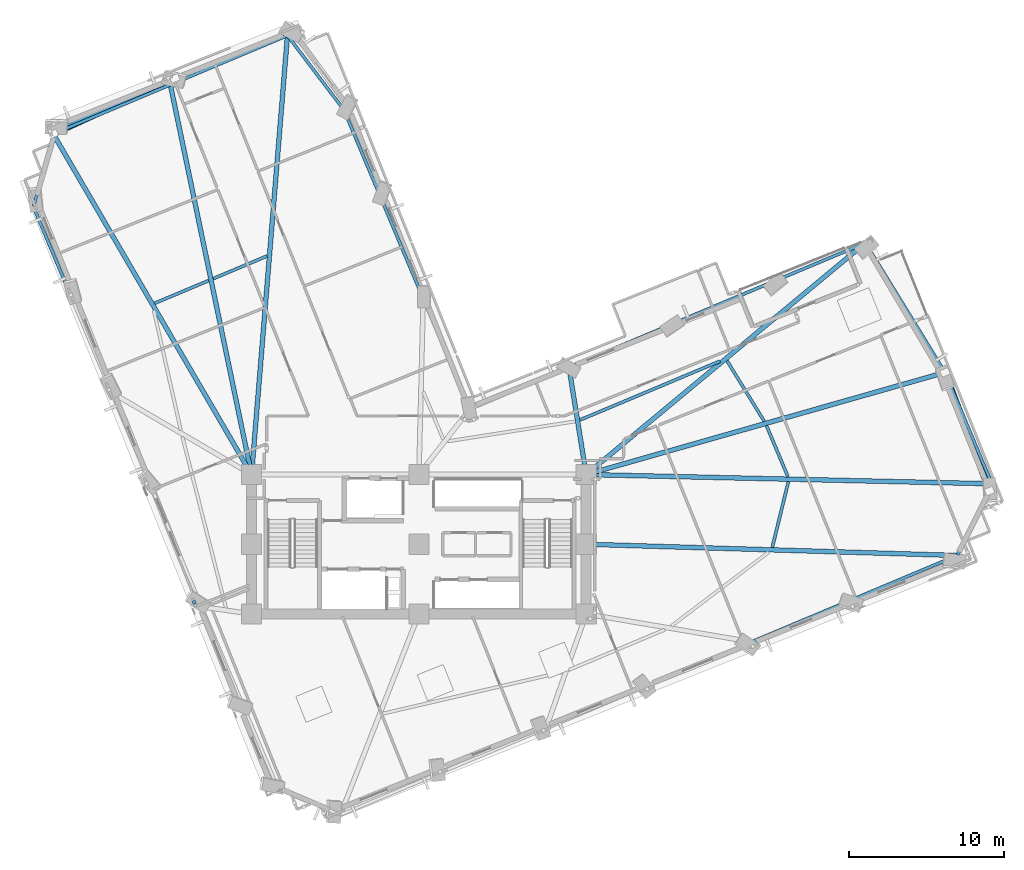
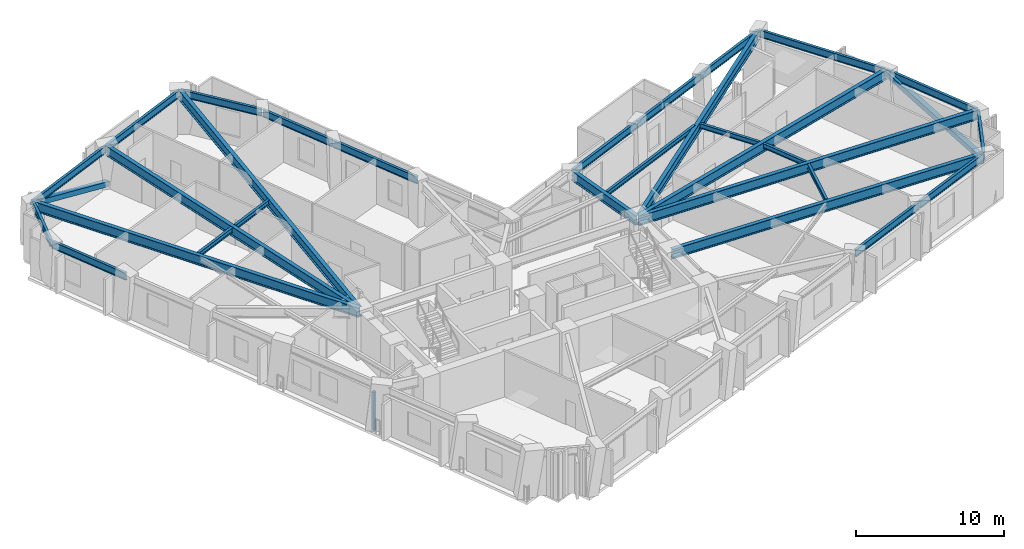
# One storey, part 2 of 16: 29 beams, 2 members, 1 plate.
"""IFC4 building model written with IfcOpenShell, lengths in metres."""

from ifc_helpers import new_model, si_unit, direction, frame, origin, origin_2d, place, context, subcontext, project, spatial, rectangle, hollow_rectangle, i_section, extrude, material, layer, layer_set, material_profile, profile_set, type_object, element, save


model = new_model("IFC4")

# Units and contexts
model_context = context("Model", 3, precision=1e-05, world=origin(), true_north=direction((0.0, 1.0)))
body_context = subcontext(model_context, "Body", "Model", "MODEL_VIEW")
ifc_project = project(units=[si_unit("LENGTHUNIT", "METRE"), si_unit("AREAUNIT", "SQUARE_METRE"), si_unit("VOLUMEUNIT", "CUBIC_METRE"), si_unit("PLANEANGLEUNIT", "RADIAN"), si_unit("MASSUNIT", "GRAM", prefix="KILO")], contexts=[model_context])

# Site, building, storey
site_placement = place(None, origin())
site = spatial("IfcSite", under=ifc_project, at=site_placement, CompositionType="ELEMENT")
building_placement = place(site_placement, origin())
building = spatial("IfcBuilding", under=site, at=building_placement, Name="Gaonmaruhae Medical Tower", CompositionType="ELEMENT")
storey_placement = place(building_placement, frame((0.0, 0.0, 116.39990234375)))
storey = spatial("IfcBuildingStorey", under=building, at=storey_placement, Name="L27", CompositionType="ELEMENT", Elevation=116.39990234375)

# Beams
ifc_material_1 = material(Name="Steel SM355", Category="steel")
ifc_material_profile_1 = material_profile(ifc_material_1, i_section(OverallWidth=0.199951171875, OverallDepth=0.39990234375, WebThickness=0.008056640625, FlangeThickness=0.012939453125, FilletRadius=0.012939453125, at=origin_2d()), Name="H-400x200x8x13")
ifc_profile_set_1 = profile_set([ifc_material_profile_1], Name="Steel SM355")
beam_type_1 = type_object("IfcBeamType", Name="FJ-01 Lower Zone Ward Floor Joist (H-400x200x8x13)", PredefinedType="JOIST", material=ifc_profile_set_1)
beam_1_placement = place(storey_placement, frame((47.614501953125, 12.091796875, 3.580078125), z_axis=(0.237533766268, 0.971379282197, 0.0), x_axis=(-0.971379282197, 0.237533766268, 0.0)))
element("IfcBeam", 1, at=beam_1_placement, inside=storey, type_object=beam_type_1, Name="L27 Secondary Floor Joist FJ04", PredefinedType="JOIST", context=body_context, shape_type="SweptSolid", body=[
    extrude(i_section(OverallWidth=0.199951171875, OverallDepth=0.39990234375, WebThickness=0.008056640625, FlangeThickness=0.012939453125, FilletRadius=0.012939453125, at=origin_2d()), origin(), (0.0, 0.0, 1.0), 4.37841796875),
])
beam_2_placement = place(storey_placement, frame((48.62646484375, 16.656982421875, 3.580078125), z_axis=(-0.387534527652, 0.921855189212, 0.0), x_axis=(-0.921855189212, -0.387534527652, 0.0)))
element("IfcBeam", 2, at=beam_2_placement, inside=storey, type_object=beam_type_1, Name="L27 Secondary Floor Joist FJ05", PredefinedType="JOIST", context=body_context, shape_type="SweptSolid", body=[
    extrude(i_section(OverallWidth=0.199951171875, OverallDepth=0.39990234375, WebThickness=0.008056640625, FlangeThickness=0.012939453125, FilletRadius=0.012939453125, at=origin_2d()), origin(), (0.0, 0.0, 1.0), 3.57275390625),
])
beam_3_placement = place(storey_placement, frame((47.096435546875, 20.233154296875, 3.580078125), z_axis=(-0.523839122684, 0.85181721839, 0.0), x_axis=(-0.85181721839, -0.523839122684, 0.0)))
element("IfcBeam", 3, at=beam_3_placement, inside=storey, type_object=beam_type_1, Name="L27 Secondary Floor Joist FJ06", PredefinedType="JOIST", context=body_context, shape_type="SweptSolid", body=[
    extrude(i_section(OverallWidth=0.199951171875, OverallDepth=0.39990234375, WebThickness=0.008056640625, FlangeThickness=0.012939453125, FilletRadius=0.012939453125, at=origin_2d()), origin(), (0.0, 0.0, 1.0), 4.58837890625),
])
beam_4_placement = place(storey_placement, frame((44.240966796875, 24.120361328125, 3.580078125), z_axis=(-0.921866070377, -0.387508642855, 0.0), x_axis=(0.387508642855, -0.921866070377, 0.0)))
element("IfcBeam", 4, at=beam_4_placement, inside=storey, type_object=beam_type_1, Name="L27 Secondary Floor Joist FJ07", PredefinedType="JOIST", context=body_context, shape_type="SweptSolid", body=[
    extrude(i_section(OverallWidth=0.199951171875, OverallDepth=0.39990234375, WebThickness=0.008056640625, FlangeThickness=0.012939453125, FilletRadius=0.012939453125, at=origin_2d()), origin(), (0.0, 0.0, 1.0), 9.81396484375),
])
beam_5_placement = place(storey_placement, frame((14.996826171875, 30.903076171875, 3.580078125), z_axis=(-0.921852442288, -0.387541061885, 0.0), x_axis=(0.387541061885, -0.921852442288, 0.0)))
element("IfcBeam", 5, at=beam_5_placement, inside=storey, type_object=beam_type_1, Name="L27 Secondary Floor Joist FJ11", PredefinedType="JOIST", context=body_context, shape_type="SweptSolid", body=[
    extrude(i_section(OverallWidth=0.199951171875, OverallDepth=0.39990234375, WebThickness=0.008056640625, FlangeThickness=0.012939453125, FilletRadius=0.012939453125, at=origin_2d()), origin(), (0.0, 0.0, 1.0), 3.765869140625),
])
beam_6_placement = place(storey_placement, frame((11.232421875, 29.320556640625, 3.580078125), z_axis=(-0.921865967129, -0.387508888478, 0.0), x_axis=(0.387508888478, -0.921865967129, 0.0)))
element("IfcBeam", 6, at=beam_6_placement, inside=storey, type_object=beam_type_1, Name="L27 Secondary Floor Joist FJ12", PredefinedType="JOIST", context=body_context, shape_type="SweptSolid", body=[
    extrude(i_section(OverallWidth=0.199951171875, OverallDepth=0.39990234375, WebThickness=0.008056640625, FlangeThickness=0.012939453125, FilletRadius=0.012939453125, at=origin_2d()), origin(), (0.0, 0.0, 1.0), 3.783935546875),
])

# Members
ifc_material_2 = material(Name="Steel SM420", Category="steel")
ifc_material_profile_2 = material_profile(ifc_material_2, hollow_rectangle(XDim=0.39990234375, YDim=0.39990234375, WallThickness=0.01611328125, at=origin_2d()), Name="RHS-400x400x16")
ifc_profile_set_2 = profile_set([ifc_material_profile_2], Name="Steel SM420")
member_type = type_object("IfcMemberType", Name="PB-01 Perimeter Solid-Bay Tube Brace Lower (RHS-400x400x16)", PredefinedType="BRACE", material=ifc_profile_set_2)
member_1_placement = place(storey_placement, frame((61.638427734375, 15.73388671875, 0.25), z_axis=(-0.326386541425, 0.868868068261, 0.372209760126), x_axis=(-0.936130305604, -0.351653310705, 0.0)))
element("IfcMember", 7, at=member_1_placement, inside=storey, type_object=member_type, Name="L27 Perimeter Tube Solid-Bay Brace E01-E02", PredefinedType="BRACE", context=body_context, shape_type="SweptSolid", body=[
    extrude(hollow_rectangle(XDim=0.39990234375, YDim=0.39990234375, WallThickness=0.01611328125, at=origin_2d()), origin(), (0.0, 0.0, 1.0), 8.812255859375),
])
member_2_placement = place(storey_placement, frame((9.04541015625, 42.373779296875, 0.25), z_axis=(-0.850123628358, -0.388615097737, 0.355342260811), x_axis=(0.415748392289, -0.90947967229, 0.0)))
element("IfcMember", 8, at=member_2_placement, inside=storey, type_object=member_type, Name="L27 Perimeter Tube Solid-Bay Brace N02-N03", PredefinedType="BRACE", context=body_context, shape_type="SweptSolid", body=[
    extrude(hollow_rectangle(XDim=0.39990234375, YDim=0.39990234375, WallThickness=0.01611328125, at=origin_2d()), origin(), (0.0, 0.0, 1.0), 9.230712890625),
])

# Beams
ifc_material_profile_3 = material_profile(ifc_material_2, i_section(OverallWidth=0.300048828125, OverallDepth=0.800048828125, WebThickness=0.013916015625, FlangeThickness=0.02587890625, FilletRadius=0.01806640625, at=origin_2d()), Name="H-800x300x14x26")
ifc_profile_set_3 = profile_set([ifc_material_profile_3], Name="Steel SM420")
beam_type_2 = type_object("IfcBeamType", Name="PG-02 Zone 2 Radial Floor Girder (H-800x300x14x26)", PredefinedType="BEAM", material=ifc_profile_set_3)
beam_7_placement = place(storey_placement, frame((35.64990234375, 12.298583984375, 3.380126953125), z_axis=(0.999540775472, -0.03030244493, 0.0), x_axis=(0.03030244493, 0.999540775472, 0.0)))
element("IfcBeam", 9, at=beam_7_placement, inside=storey, type_object=beam_type_2, Name="L27 Radial Primary Girder S07", PredefinedType="BEAM", context=body_context, shape_type="SweptSolid", body=[
    extrude(i_section(OverallWidth=0.300048828125, OverallDepth=0.800048828125, WebThickness=0.013916015625, FlangeThickness=0.02587890625, FilletRadius=0.01806640625, at=origin_2d()), origin(), (0.0, 0.0, 1.0), 23.8642578125),
])
beam_8_placement = place(storey_placement, frame((35.64990234375, 16.798828125, 3.380126953125), z_axis=(0.999737625511, -0.022905897451, 0.0), x_axis=(0.022905897451, 0.999737625511, 0.0)))
element("IfcBeam", 10, at=beam_8_placement, inside=storey, type_object=beam_type_2, Name="L27 Radial Primary Girder E01", PredefinedType="BEAM", context=body_context, shape_type="SweptSolid", body=[
    extrude(i_section(OverallWidth=0.300048828125, OverallDepth=0.800048828125, WebThickness=0.013916015625, FlangeThickness=0.02587890625, FilletRadius=0.01806640625, at=origin_2d()), origin(), (0.0, 0.0, 1.0), 26.091796875),
])
beam_9_placement = place(storey_placement, frame((35.648193359375, 16.813720703125, 3.380126953125), z_axis=(0.961821110821, 0.273678919137, 0.0), x_axis=(-0.273678919137, 0.961821110821, 0.0)))
element("IfcBeam", 11, at=beam_9_placement, inside=storey, type_object=beam_type_2, Name="L27 Radial Primary Girder E02", PredefinedType="BEAM", context=body_context, shape_type="SweptSolid", body=[
    extrude(i_section(OverallWidth=0.300048828125, OverallDepth=0.800048828125, WebThickness=0.013916015625, FlangeThickness=0.02587890625, FilletRadius=0.01806640625, at=origin_2d()), origin(), (0.0, 0.0, 1.0), 23.9814453125),
])
beam_10_placement = place(storey_placement, frame((35.638427734375, 16.83203125, 3.360107421875), z_axis=(0.76960220183, 0.638523649474, 0.0), x_axis=(-0.638523649474, 0.76960220183, 0.0)))
element("IfcBeam", 12, at=beam_10_placement, inside=storey, type_object=beam_type_2, Name="L27 Radial Primary Girder E03", PredefinedType="BEAM", context=body_context, shape_type="SweptSolid", body=[
    extrude(i_section(OverallWidth=0.300048828125, OverallDepth=0.800048828125, WebThickness=0.013916015625, FlangeThickness=0.02587890625, FilletRadius=0.01806640625, at=origin_2d()), origin(), (0.0, 0.0, 1.0), 23.3154296875),
])
beam_11_placement = place(storey_placement, frame((35.592041015625, 16.849365234375, 3.380126953125), z_axis=(-0.158330026643, 0.987386247961, 0.0), x_axis=(-0.987386247961, -0.158330026643, 0.0)))
element("IfcBeam", 13, at=beam_11_placement, inside=storey, type_object=beam_type_2, Name="L27 Radial Primary Girder EN03", PredefinedType="BEAM", context=body_context, shape_type="SweptSolid", body=[
    extrude(i_section(OverallWidth=0.300048828125, OverallDepth=0.800048828125, WebThickness=0.013916015625, FlangeThickness=0.02587890625, FilletRadius=0.01806640625, at=origin_2d()), origin(), (0.0, 0.0, 1.0), 6.898681640625),
])
beam_12_placement = place(storey_placement, frame((14.004150390625, 16.849853515625, 3.380126953125), z_axis=(0.081471002221, 0.996675712455, 0.0), x_axis=(-0.996675712455, 0.081471002221, 0.0)))
element("IfcBeam", 14, at=beam_12_placement, inside=storey, type_object=beam_type_2, Name="L27 Radial Primary Girder N01", PredefinedType="BEAM", context=body_context, shape_type="SweptSolid", body=[
    extrude(i_section(OverallWidth=0.300048828125, OverallDepth=0.800048828125, WebThickness=0.013916015625, FlangeThickness=0.02587890625, FilletRadius=0.01806640625, at=origin_2d()), origin(), (0.0, 0.0, 1.0), 28.33642578125),
])
beam_13_placement = place(storey_placement, frame((13.98974609375, 16.848876953125, 3.380126953125), z_axis=(-0.203954254112, 0.978980419738, 0.0), x_axis=(-0.978980419738, -0.203954254112, 0.0)))
element("IfcBeam", 15, at=beam_13_placement, inside=storey, type_object=beam_type_2, Name="L27 Radial Primary Girder N02", PredefinedType="BEAM", context=body_context, shape_type="SweptSolid", body=[
    extrude(i_section(OverallWidth=0.300048828125, OverallDepth=0.800048828125, WebThickness=0.013916015625, FlangeThickness=0.02587890625, FilletRadius=0.01806640625, at=origin_2d()), origin(), (0.0, 0.0, 1.0), 25.6044921875),
])
beam_14_placement = place(storey_placement, frame((13.974853515625, 16.84326171875, 3.380126953125), z_axis=(-0.503175428802, 0.864184290444, 0.0), x_axis=(-0.864184290444, -0.503175428802, 0.0)))
element("IfcBeam", 16, at=beam_14_placement, inside=storey, type_object=beam_type_2, Name="L27 Radial Primary Girder N03", PredefinedType="BEAM", context=body_context, shape_type="SweptSolid", body=[
    extrude(i_section(OverallWidth=0.300048828125, OverallDepth=0.800048828125, WebThickness=0.013916015625, FlangeThickness=0.02587890625, FilletRadius=0.01806640625, at=origin_2d()), origin(), (0.0, 0.0, 1.0), 25.342041015625),
])
ifc_material_profile_4 = material_profile(ifc_material_1, i_section(OverallWidth=0.199951171875, OverallDepth=0.60009765625, WebThickness=0.010986328125, FlangeThickness=0.01708984375, FilletRadius=0.012939453125, at=origin_2d()), Name="H-600x200x11x17")
ifc_profile_set_4 = profile_set([ifc_material_profile_4], Name="Steel SM355")
beam_type_3 = type_object("IfcBeamType", Name="SP-01 Lower Perimeter Spandrel Beam (H-600x200x11x17)", PredefinedType="SPANDREL", material=ifc_profile_set_4)
for number, where, z_axis, x_axis, name in (
    (17, (46.315185546875, 6.009033203125, 3.47998046875), (0.921855965601, 0.387532680797, 0.0), (-0.387532680797, 0.921855965601, 0.0), "L27 Perimeter Spandrel Beam S05-S06"),
    (18, (52.95263671875, 8.79931640625, 3.47998046875), (0.921868214975, 0.387503540912, 0.0), (-0.387503540912, 0.921868214975, 0.0), "L27 Perimeter Spandrel Beam S06-S07"),
):
    element("IfcBeam", number, at=place(storey_placement, frame(where, z_axis=z_axis, x_axis=x_axis)), inside=storey, type_object=beam_type_3, Name=name, PredefinedType="SPANDREL", context=body_context, shape_type="SweptSolid", body=[
        extrude(i_section(OverallWidth=0.199951171875, OverallDepth=0.60009765625, WebThickness=0.010986328125, FlangeThickness=0.01708984375, FilletRadius=0.012939453125, at=origin_2d()), origin(), (0.0, 0.0, 1.0), 7.1201171875),
    ])
beam_15_placement = place(storey_placement, frame((59.570556640625, 11.60986328125, 3.47998046875), z_axis=(0.43449925295, 0.900672192968, 0.0), x_axis=(-0.900672192968, 0.43449925295, 0.0)))
element("IfcBeam", 19, at=beam_15_placement, inside=storey, type_object=beam_type_3, Name="L27 Perimeter Spandrel Beam S07-E01", PredefinedType="SPANDREL", context=body_context, shape_type="SweptSolid", body=[
    extrude(i_section(OverallWidth=0.199951171875, OverallDepth=0.60009765625, WebThickness=0.010986328125, FlangeThickness=0.01708984375, FilletRadius=0.012939453125, at=origin_2d()), origin(), (0.0, 0.0, 1.0), 5.056396484375),
])
beam_16_placement = place(storey_placement, frame((61.769287109375, 16.237060546875, 3.47998046875), z_axis=(-0.387501296643, 0.921869158341, 0.0), x_axis=(-0.921869158341, -0.387501296643, 0.0)))
element("IfcBeam", 20, at=beam_16_placement, inside=storey, type_object=beam_type_3, Name="L27 Perimeter Spandrel Beam E01-E02", PredefinedType="SPANDREL", context=body_context, shape_type="SweptSolid", body=[
    extrude(i_section(OverallWidth=0.199951171875, OverallDepth=0.60009765625, WebThickness=0.010986328125, FlangeThickness=0.01708984375, FilletRadius=0.012939453125, at=origin_2d()), origin(), (0.0, 0.0, 1.0), 7.719970703125),
])
beam_17_placement = place(storey_placement, frame((58.7412109375, 23.4248046875, 3.47998046875), z_axis=(-0.523839943352, 0.851816713706, 0.0), x_axis=(-0.851816713706, -0.523839943352, 0.0)))
element("IfcBeam", 21, at=beam_17_placement, inside=storey, type_object=beam_type_3, Name="L27 Perimeter Spandrel Beam E02-E03", PredefinedType="SPANDREL", context=body_context, shape_type="SweptSolid", body=[
    extrude(i_section(OverallWidth=0.199951171875, OverallDepth=0.60009765625, WebThickness=0.010986328125, FlangeThickness=0.01708984375, FilletRadius=0.012939453125, at=origin_2d()), origin(), (0.0, 0.0, 1.0), 9.735107421875),
])
beam_18_placement = place(storey_placement, frame((53.583740234375, 31.73583984375, 3.460205078125), z_axis=(-0.921863897365, -0.387513812316, 0.0), x_axis=(0.387513812316, -0.921863897365, 0.0)))
element("IfcBeam", 22, at=beam_18_placement, inside=storey, type_object=beam_type_3, Name="L27 Perimeter Spandrel Beam E03-EN01", PredefinedType="SPANDREL", context=body_context, shape_type="SweptSolid", body=[
    extrude(i_section(OverallWidth=0.199951171875, OverallDepth=0.60009765625, WebThickness=0.010986328125, FlangeThickness=0.01708984375, FilletRadius=0.012939453125, at=origin_2d()), origin(), (0.0, 0.0, 1.0), 6.27001953125),
])
beam_19_placement = place(storey_placement, frame((47.729736328125, 29.275146484375, 3.460205078125), z_axis=(-0.921863065881, -0.387515790341, 0.0), x_axis=(0.387515790341, -0.921863065881, 0.0)))
element("IfcBeam", 23, at=beam_19_placement, inside=storey, type_object=beam_type_3, Name="L27 Perimeter Spandrel Beam EN01-EN02", PredefinedType="SPANDREL", context=body_context, shape_type="SweptSolid", body=[
    extrude(i_section(OverallWidth=0.199951171875, OverallDepth=0.60009765625, WebThickness=0.010986328125, FlangeThickness=0.01708984375, FilletRadius=0.012939453125, at=origin_2d()), origin(), (0.0, 0.0, 1.0), 7.119873046875),
])
for number, where, z_axis, x_axis, name in (
    (24, (41.092529296875, 26.485107421875, 3.47998046875), (-0.921868214975, -0.387503540912, 0.0), (0.387503540912, -0.921868214975, 0.0), "L27 Perimeter Spandrel Beam EN02-EN03"),
    (25, (25.066162109375, 28.198486328125, 3.47998046875), (-0.387503540912, 0.921868214975, 0.0), (-0.921868214975, -0.387503540912, 0.0), "L27 Perimeter Spandrel Beam NE01-NE02"),
):
    element("IfcBeam", number, at=place(storey_placement, frame(where, z_axis=z_axis, x_axis=x_axis)), inside=storey, type_object=beam_type_3, Name=name, PredefinedType="SPANDREL", context=body_context, shape_type="SweptSolid", body=[
        extrude(i_section(OverallWidth=0.199951171875, OverallDepth=0.60009765625, WebThickness=0.010986328125, FlangeThickness=0.01708984375, FilletRadius=0.012939453125, at=origin_2d()), origin(), (0.0, 0.0, 1.0), 7.1201171875),
    ])
beam_20_placement = place(storey_placement, frame((22.276123046875, 34.8359375, 3.47998046875), z_axis=(-0.387524125622, 0.921859562005, 0.0), x_axis=(-0.921859562005, -0.387524125622, 0.0)))
element("IfcBeam", 26, at=beam_20_placement, inside=storey, type_object=beam_type_3, Name="L27 Perimeter Spandrel Beam NE02-NE03", PredefinedType="SPANDREL", context=body_context, shape_type="SweptSolid", body=[
    extrude(i_section(OverallWidth=0.199951171875, OverallDepth=0.60009765625, WebThickness=0.010986328125, FlangeThickness=0.01708984375, FilletRadius=0.012939453125, at=origin_2d()), origin(), (0.0, 0.0, 1.0), 5.920166015625),
])
beam_21_placement = place(storey_placement, frame((19.9423828125, 40.362060546875, 3.47998046875), z_axis=(-0.604343442078, 0.796723919572, 0.0), x_axis=(-0.796723919572, -0.604343442078, 0.0)))
element("IfcBeam", 27, at=beam_21_placement, inside=storey, type_object=beam_type_3, Name="L27 Perimeter Spandrel Beam NE03-N01", PredefinedType="SPANDREL", context=body_context, shape_type="SweptSolid", body=[
    extrude(i_section(OverallWidth=0.199951171875, OverallDepth=0.60009765625, WebThickness=0.010986328125, FlangeThickness=0.01708984375, FilletRadius=0.012939453125, at=origin_2d()), origin(), (0.0, 0.0, 1.0), 5.95947265625),
])
for number, where, z_axis, x_axis, name in (
    (28, (16.27978515625, 45.12646484375, 3.47998046875), (-0.921855388276, -0.387534054125, 0.0), (0.387534054125, -0.921855388276, 0.0), "L27 Perimeter Spandrel Beam N01-N02"),
    (29, (8.720458984375, 41.94873046875, 3.47998046875), (-0.921866129507, -0.387508502188, 0.0), (0.387508502188, -0.921866129507, 0.0), "L27 Perimeter Spandrel Beam N02-N03"),
):
    element("IfcBeam", number, at=place(storey_placement, frame(where, z_axis=z_axis, x_axis=x_axis)), inside=storey, type_object=beam_type_3, Name=name, PredefinedType="SPANDREL", context=body_context, shape_type="SweptSolid", body=[
        extrude(i_section(OverallWidth=0.199951171875, OverallDepth=0.60009765625, WebThickness=0.010986328125, FlangeThickness=0.01708984375, FilletRadius=0.012939453125, at=origin_2d()), origin(), (0.0, 0.0, 1.0), 8.119873046875),
    ])
beam_22_placement = place(storey_placement, frame((1.187744140625, 38.748046875, 3.47998046875), z_axis=(-0.260930799776, -0.965357507729, 0.0), x_axis=(0.965357507729, -0.260930799776, 0.0)))
element("IfcBeam", 30, at=beam_22_placement, inside=storey, type_object=beam_type_3, Name="L27 Perimeter Spandrel Beam N03-W01", PredefinedType="SPANDREL", context=body_context, shape_type="SweptSolid", body=[
    extrude(i_section(OverallWidth=0.199951171875, OverallDepth=0.60009765625, WebThickness=0.010986328125, FlangeThickness=0.01708984375, FilletRadius=0.012939453125, at=origin_2d()), origin(), (0.0, 0.0, 1.0), 4.80078125),
])
beam_23_placement = place(storey_placement, frame((-0.06005859375, 34.0380859375, 3.47998046875), z_axis=(0.387531938394, -0.921856277694, 0.0), x_axis=(0.921856277694, 0.387531938394, 0.0)))
element("IfcBeam", 31, at=beam_23_placement, inside=storey, type_object=beam_type_3, Name="L27 Perimeter Spandrel Beam W01-W02", PredefinedType="SPANDREL", context=body_context, shape_type="SweptSolid", body=[
    extrude(i_section(OverallWidth=0.199951171875, OverallDepth=0.60009765625, WebThickness=0.010986328125, FlangeThickness=0.01708984375, FilletRadius=0.012939453125, at=origin_2d()), origin(), (0.0, 0.0, 1.0), 6.320068359375),
])

# Plate
ifc_material_3 = material(Name="Anodised aluminium 6063-T6", Category="aluminium")
ifc_layer = layer(ifc_material_3, 0.011962890625)
ifc_layer_set = layer_set([ifc_layer], Name="Anodised aluminium 6063-T6")
plate_type = type_object("IfcPlateType", Name="PP-01 Interior Partition Corner Stiffener Plate", PredefinedType="SHEET", material=ifc_layer_set)
plate_placement = place(storey_placement, frame((10.29443359375, 8.547119140625, 0.0), z_axis=(0.0, 0.0, 1.0), x_axis=(-0.372323741437, 0.928102920781, 0.0)))
element("IfcPlate", 32, at=plate_placement, inside=storey, type_object=plate_type, Name="L27 Partition Corner Stiffener Plate PLT-L27-JGP-PW044", PredefinedType="SHEET", context=body_context, shape_type="SweptSolid", body=[
    extrude(rectangle(XDim=0.219970703125, YDim=0.219970703125, at=origin_2d()), origin(), (0.0, 0.0, 1.0), 3.1650390625),
])

save(model, "model.ifc")
